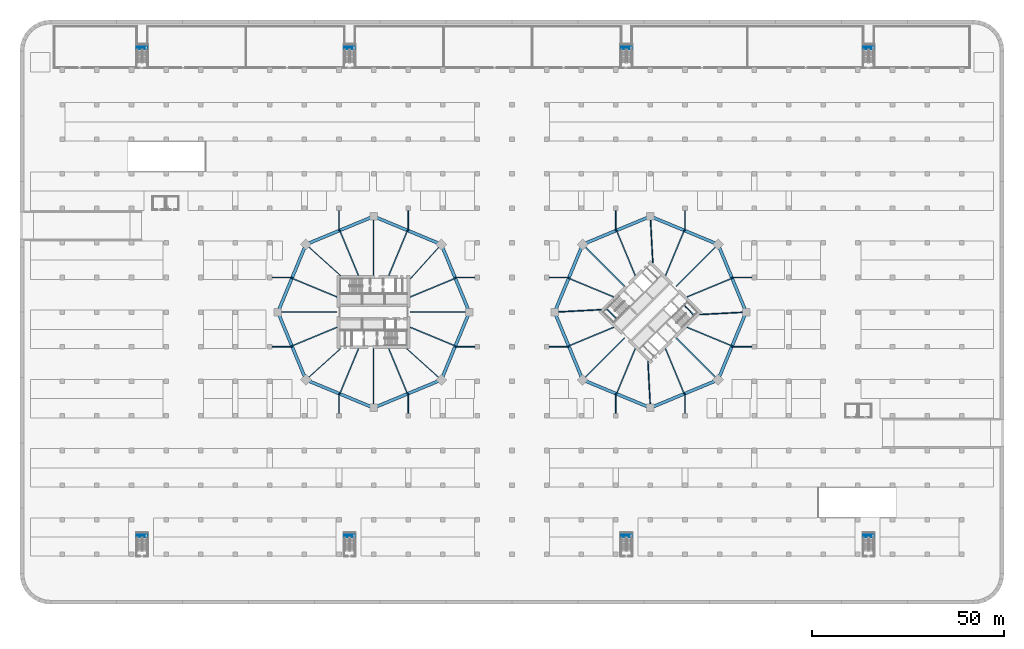
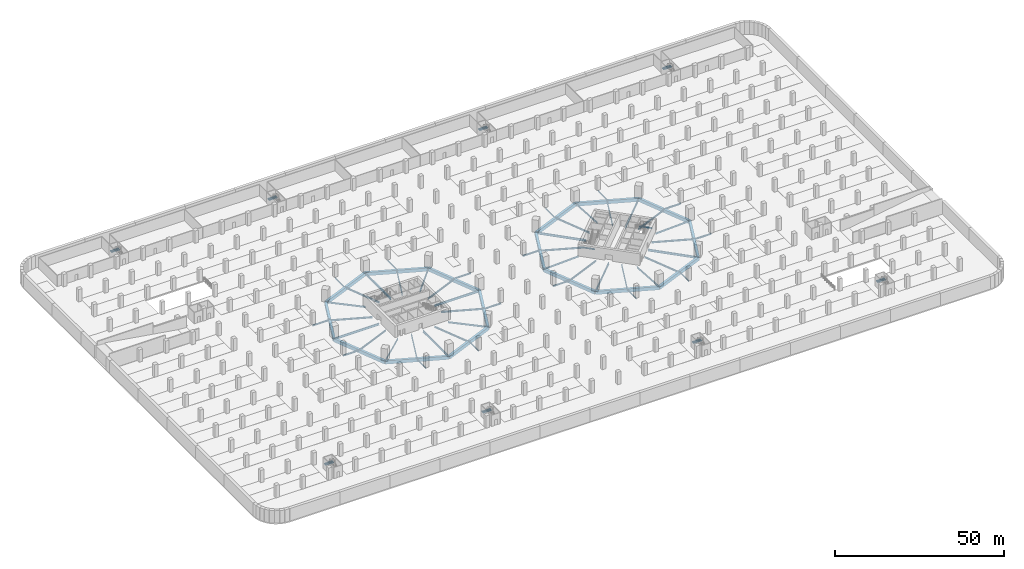
# One storey, part 2 of 34: 82 beams.
"""IFC4 building model written with IfcOpenShell, lengths in metres."""

from ifc_helpers import new_model, si_unit, direction, frame, origin, origin_2d, place, context, subcontext, project, spatial, rectangle, hollow_rectangle, i_section, extrude, material, material_profile, profile_set, type_object, element, save


model = new_model("IFC4")

# Units and contexts
model_context = context("Model", 3, precision=1e-05, world=origin(), true_north=direction((0.0, 1.0)))
body_context = subcontext(model_context, "Body", "Model", "MODEL_VIEW")
ifc_project = project(units=[si_unit("LENGTHUNIT", "METRE"), si_unit("AREAUNIT", "SQUARE_METRE"), si_unit("VOLUMEUNIT", "CUBIC_METRE"), si_unit("PLANEANGLEUNIT", "RADIAN"), si_unit("MASSUNIT", "GRAM", prefix="KILO")], contexts=[model_context])

# Site, building, storey
site_placement = place(None, origin())
site = spatial("IfcSite", under=ifc_project, at=site_placement, CompositionType="ELEMENT")
building_placement = place(site_placement, origin())
building = spatial("IfcBuilding", under=site, at=building_placement, Name="Ogive Gate Towers", CompositionType="ELEMENT")
storey_placement = place(building_placement, frame((0.0, 0.0, -4.5)))
storey = spatial("IfcBuildingStorey", under=building, at=storey_placement, Name="B1", CompositionType="ELEMENT", Elevation=-4.5)

# Beams
ifc_material_1 = material(Name="Steel SM460", Category="steel")
ifc_material_profile_1 = material_profile(ifc_material_1, hollow_rectangle(XDim=0.800048828125, YDim=1.199951171875, WallThickness=0.050048828125, at=origin_2d()), Name="BX 1200x800x50")
ifc_profile_set_1 = profile_set([ifc_material_profile_1], Name="Steel SM460")
beam_type_1 = type_object("IfcBeamType", Name="Edge girder BX 1200x800x50", PredefinedType="BEAM", material=ifc_profile_set_1)
for number, where, z_axis, x_axis, name in (
    (1, (-53.614013671875, -17.614013671875, -1.0), (0.923880736283, -0.382680526191, 0.0), (0.382680526191, 0.923880736283, 0.0), "T1/B1/SBM017"),
    (2, (-36.0, -24.909912109375, -1.0), (0.923880736283, 0.382680526191, 0.0), (-0.382680526191, 0.923880736283, 0.0), "T1/B1/SBM018"),
    (3, (-18.385986328125, -17.614013671875, -1.0), (0.382680526191, 0.923880736283, 0.0), (-0.923880736283, 0.382680526191, 0.0), "T1/B1/SBM019"),
    (4, (-11.090087890625, 0.0, -1.0), (-0.382680526191, 0.923880736283, 0.0), (-0.923880736283, -0.382680526191, 0.0), "T1/B1/SBM020"),
    (5, (-18.385986328125, 17.614013671875, -1.0), (-0.923880736283, 0.382680526191, 0.0), (-0.382680526191, -0.923880736283, 0.0), "T1/B1/SBM021"),
    (6, (-36.0, 24.909912109375, -1.0), (-0.923880736283, -0.382680526191, 0.0), (0.382680526191, -0.923880736283, 0.0), "T1/B1/SBM022"),
    (7, (-53.614013671875, 17.614013671875, -1.0), (-0.382680526191, -0.923880736283, 0.0), (0.923880736283, -0.382680526191, 0.0), "T1/B1/SBM023"),
    (8, (-60.909912109375, 0.0, -1.0), (0.382680526191, -0.923880736283, 0.0), (0.923880736283, 0.382680526191, 0.0), "T1/B1/SBM024"),
    (9, (18.385986328125, -17.614013671875, -1.0), (0.923880736283, -0.382680526191, 0.0), (0.382680526191, 0.923880736283, 0.0), "T2/B1/SBM017"),
    (10, (36.0, -24.909912109375, -1.0), (0.923880736283, 0.382680526191, 0.0), (-0.382680526191, 0.923880736283, 0.0), "T2/B1/SBM018"),
    (11, (53.614013671875, -17.614013671875, -1.0), (0.382680526191, 0.923880736283, 0.0), (-0.923880736283, 0.382680526191, 0.0), "T2/B1/SBM019"),
    (12, (60.909912109375, 0.0, -1.0), (-0.382680526191, 0.923880736283, 0.0), (-0.923880736283, -0.382680526191, 0.0), "T2/B1/SBM020"),
    (13, (53.614013671875, 17.614013671875, -1.0), (-0.923880736283, 0.382680526191, 0.0), (-0.382680526191, -0.923880736283, 0.0), "T2/B1/SBM021"),
    (14, (36.0, 24.909912109375, -1.0), (-0.923880736283, -0.382680526191, 0.0), (0.382680526191, -0.923880736283, 0.0), "T2/B1/SBM022"),
    (15, (18.385986328125, 17.614013671875, -1.0), (-0.382680526191, -0.923880736283, 0.0), (0.923880736283, -0.382680526191, 0.0), "T2/B1/SBM023"),
    (16, (11.090087890625, 0.0, -1.0), (0.382680526191, -0.923880736283, 0.0), (0.923880736283, 0.382680526191, 0.0), "T2/B1/SBM024"),
):
    element("IfcBeam", number, at=place(storey_placement, frame(where, z_axis=z_axis, x_axis=x_axis)), inside=storey, type_object=beam_type_1, Name=name, PredefinedType="BEAM", context=body_context, shape_type="SweptSolid", body=[
        extrude(hollow_rectangle(XDim=0.800048828125, YDim=1.199951171875, WallThickness=0.050048828125, at=origin_2d()), origin(), (0.0, 0.0, 1.0), 19.065185546875),
    ])
ifc_material_2 = material(Name="Steel SM355", Category="steel")
ifc_material_profile_2 = material_profile(ifc_material_2, i_section(OverallWidth=0.18994140625, OverallDepth=0.449951171875, WebThickness=0.009521484375, FlangeThickness=0.0146484375, FilletRadius=0.02099609375, at=origin_2d()), Name="IPE 450")
ifc_profile_set_2 = profile_set([ifc_material_profile_2], Name="Steel SM355")
beam_type_2 = type_object("IfcBeamType", Name="Floor beam IPE 450", PredefinedType="BEAM", material=ifc_profile_set_2)
for number, where, z_axis, x_axis, name in (
    (17, (-63.0, -9.0, -0.625), (1.0, 0.0, 0.0), (0.0, 1.0, 0.0), "BS/B1/SBM001"),
    (18, (-63.0, 9.0, -0.625), (1.0, 0.0, 0.0), (0.0, 1.0, 0.0), "BS/B1/SBM002"),
    (19, (-45.0, -27.0, -0.625), (0.0, 1.0, 0.0), (-1.0, 0.0, 0.0), "BS/B1/SBM003"),
    (20, (-45.0, 27.0, -0.625), (0.0, -1.0, 0.0), (1.0, 0.0, 0.0), "BS/B1/SBM004"),
    (21, (-27.0, -27.0, -0.625), (0.0, 1.0, 0.0), (-1.0, 0.0, 0.0), "BS/B1/SBM005"),
    (22, (-27.0, 27.0, -0.625), (0.0, -1.0, 0.0), (1.0, 0.0, 0.0), "BS/B1/SBM006"),
    (23, (-9.0, -9.0, -0.625), (-1.0, 0.0, 0.0), (0.0, -1.0, 0.0), "BS/B1/SBM007"),
    (24, (-9.0, 9.0, -0.625), (-1.0, 0.0, 0.0), (0.0, -1.0, 0.0), "BS/B1/SBM008"),
    (25, (9.0, -9.0, -0.625), (1.0, 0.0, 0.0), (0.0, 1.0, 0.0), "BS/B1/SBM009"),
    (26, (9.0, 9.0, -0.625), (1.0, 0.0, 0.0), (0.0, 1.0, 0.0), "BS/B1/SBM010"),
    (27, (27.0, -27.0, -0.625), (0.0, 1.0, 0.0), (-1.0, 0.0, 0.0), "BS/B1/SBM011"),
    (28, (27.0, 27.0, -0.625), (0.0, -1.0, 0.0), (1.0, 0.0, 0.0), "BS/B1/SBM012"),
    (29, (45.0, -27.0, -0.625), (0.0, 1.0, 0.0), (-1.0, 0.0, 0.0), "BS/B1/SBM013"),
    (30, (45.0, 27.0, -0.625), (0.0, -1.0, 0.0), (1.0, 0.0, 0.0), "BS/B1/SBM014"),
    (31, (63.0, -9.0, -0.625), (-1.0, 0.0, 0.0), (0.0, -1.0, 0.0), "BS/B1/SBM015"),
    (32, (63.0, 9.0, -0.625), (-1.0, 0.0, 0.0), (0.0, -1.0, 0.0), "BS/B1/SBM016"),
):
    element("IfcBeam", number, at=place(storey_placement, frame(where, z_axis=z_axis, x_axis=x_axis)), inside=storey, type_object=beam_type_2, Name=name, PredefinedType="BEAM", context=body_context, shape_type="SweptSolid", body=[
        extrude(i_section(OverallWidth=0.18994140625, OverallDepth=0.449951171875, WebThickness=0.009521484375, FlangeThickness=0.0146484375, FilletRadius=0.02099609375, at=origin_2d()), origin(), (0.0, 0.0, 1.0), 5.81787109375),
    ])
ifc_material_3 = material(Name="Concrete C40/50", Category="concrete")
ifc_material_profile_3 = material_profile(ifc_material_3, rectangle(XDim=0.25, YDim=0.300048828125, at=origin_2d()), Name="RC 250x300")
ifc_profile_set_3 = profile_set([ifc_material_profile_3], Name="Concrete C40/50")
beam_type_3 = type_object("IfcBeamType", Name="Landing bearer RC 250x300", PredefinedType="BEAM", material=ifc_profile_set_3)
for number, where, z_axis, x_axis, name in (
    (33, (24.5712890625, 0.875, 1.89990234375), (0.707138693938, -0.707074866995, 0.0), (0.707074866995, 0.707138693938, 0.0), "T2 B1 stair 1 landing bearer 1"),
    (34, (47.4287109375, -0.875, 1.89990234375), (-0.707138693938, 0.707074866995, 0.0), (-0.707074866995, -0.707138693938, 0.0), "T2 B1 stair 2 landing bearer 1"),
):
    element("IfcBeam", number, at=place(storey_placement, frame(where, z_axis=z_axis, x_axis=x_axis)), inside=storey, type_object=beam_type_3, Name=name, PredefinedType="BEAM", context=body_context, shape_type="SweptSolid", body=[
        extrude(rectangle(XDim=0.25, YDim=0.300048828125, at=origin_2d()), origin(), (0.0, 0.0, 1.0), 3.824951171875),
    ])
ifc_material_profile_4 = material_profile(ifc_material_3, rectangle(XDim=0.25, YDim=0.300048828125, at=origin_2d()), Name="RC 250x300")
ifc_profile_set_4 = profile_set([ifc_material_profile_4], Name="Concrete C40/50")
beam_type_4 = type_object("IfcBeamType", Name="Landing bearer RC 250x300 (stair)", PredefinedType="BEAM", material=ifc_profile_set_4)
for number, where, z_axis, x_axis, name in (
    (35, (-94.85009765625, 68.56005859375, 1.89990234375), (-1.0, 0.0, 0.0), (0.0, -1.0, 0.0), "CS1 B1 landing 1 bearer 1"),
    (36, (-94.85009765625, 69.159912109375, 1.89990234375), (-1.0, 0.0, 0.0), (0.0, -1.0, 0.0), "CS1 B1 landing 1 bearer 2"),
    (37, (-40.85009765625, 68.56005859375, 1.89990234375), (-1.0, 0.0, 0.0), (0.0, -1.0, 0.0), "CS2 B1 landing 1 bearer 1"),
    (38, (-40.85009765625, 69.159912109375, 1.89990234375), (-1.0, 0.0, 0.0), (0.0, -1.0, 0.0), "CS2 B1 landing 1 bearer 2"),
    (39, (31.14990234375, 68.56005859375, 1.89990234375), (-1.0, 0.0, 0.0), (0.0, -1.0, 0.0), "CS3 B1 landing 1 bearer 1"),
    (40, (31.14990234375, 69.159912109375, 1.89990234375), (-1.0, 0.0, 0.0), (0.0, -1.0, 0.0), "CS3 B1 landing 1 bearer 2"),
    (41, (94.14990234375, 68.56005859375, 1.89990234375), (-1.0, 0.0, 0.0), (0.0, -1.0, 0.0), "CS4 B1 landing 1 bearer 1"),
    (42, (94.14990234375, 69.159912109375, 1.89990234375), (-1.0, 0.0, 0.0), (0.0, -1.0, 0.0), "CS4 B1 landing 1 bearer 2"),
    (43, (-94.85009765625, -58.43994140625, 1.89990234375), (-1.0, 0.0, 0.0), (0.0, -1.0, 0.0), "CS5 B1 landing 1 bearer 1"),
    (44, (-94.85009765625, -57.840087890625, 1.89990234375), (-1.0, 0.0, 0.0), (0.0, -1.0, 0.0), "CS5 B1 landing 1 bearer 2"),
    (45, (-40.85009765625, -58.43994140625, 1.89990234375), (-1.0, 0.0, 0.0), (0.0, -1.0, 0.0), "CS6 B1 landing 1 bearer 1"),
    (46, (-40.85009765625, -57.840087890625, 1.89990234375), (-1.0, 0.0, 0.0), (0.0, -1.0, 0.0), "CS6 B1 landing 1 bearer 2"),
    (47, (31.14990234375, -58.43994140625, 1.89990234375), (-1.0, 0.0, 0.0), (0.0, -1.0, 0.0), "CS7 B1 landing 1 bearer 1"),
    (48, (31.14990234375, -57.840087890625, 1.89990234375), (-1.0, 0.0, 0.0), (0.0, -1.0, 0.0), "CS7 B1 landing 1 bearer 2"),
    (49, (94.14990234375, -58.43994140625, 1.89990234375), (-1.0, 0.0, 0.0), (0.0, -1.0, 0.0), "CS8 B1 landing 1 bearer 1"),
    (50, (94.14990234375, -57.840087890625, 1.89990234375), (-1.0, 0.0, 0.0), (0.0, -1.0, 0.0), "CS8 B1 landing 1 bearer 2"),
):
    element("IfcBeam", number, at=place(storey_placement, frame(where, z_axis=z_axis, x_axis=x_axis)), inside=storey, type_object=beam_type_4, Name=name, PredefinedType="BEAM", context=body_context, shape_type="SweptSolid", body=[
        extrude(rectangle(XDim=0.25, YDim=0.300048828125, at=origin_2d()), origin(), (0.0, 0.0, 1.0), 2.75),
    ])
ifc_material_profile_5 = material_profile(ifc_material_2, i_section(OverallWidth=0.300048828125, OverallDepth=0.590087890625, WebThickness=0.012939453125, FlangeThickness=0.02490234375, FilletRadius=0.027099609375, at=origin_2d()), Name="HE 600 A")
ifc_profile_set_5 = profile_set([ifc_material_profile_5], Name="Steel SM355")
beam_type_5 = type_object("IfcBeamType", Name="Radial floor beam HE 600 A", PredefinedType="BEAM", material=ifc_profile_set_5)
for number, where, z_axis, x_axis, name in (
    (51, (-39.93505859375, -9.5, -0.695068359375), (-0.382690523214, -0.923876595354, 0.0), (0.923876595354, -0.382690523214, 0.0), "T1/B1/SBM002"),
    (52, (-32.06494140625, -9.5, -0.695068359375), (0.382690523214, -0.923876595354, 0.0), (0.923876595354, 0.382690523214, 0.0), "T1/B1/SBM004"),
    (53, (-26.5, -3.93505859375, -0.695068359375), (0.923876595354, -0.382690523214, 0.0), (0.382690523214, 0.923876595354, 0.0), "T1/B1/SBM006"),
    (54, (-26.5, 3.93505859375, -0.695068359375), (0.923876595354, 0.382690523214, 0.0), (-0.382690523214, 0.923876595354, 0.0), "T1/B1/SBM008"),
    (55, (-32.06494140625, 9.5, -0.695068359375), (0.382690523214, 0.923876595354, 0.0), (-0.923876595354, 0.382690523214, 0.0), "T1/B1/SBM010"),
    (56, (-39.93505859375, 9.5, -0.695068359375), (-0.382690523214, 0.923876595354, 0.0), (-0.923876595354, -0.382690523214, 0.0), "T1/B1/SBM012"),
    (57, (-45.5, 3.93505859375, -0.695068359375), (-0.923876595354, 0.382690523214, 0.0), (-0.382690523214, -0.923876595354, 0.0), "T1/B1/SBM014"),
    (58, (-45.5, -3.93505859375, -0.695068359375), (-0.923876595354, -0.382690523214, 0.0), (0.382690523214, -0.923876595354, 0.0), "T1/B1/SBM016"),
    (59, (32.06494140625, -9.5, -0.695068359375), (-0.382690523214, -0.923876595354, 0.0), (0.923876595354, -0.382690523214, 0.0), "T2/B1/SBM002"),
    (60, (39.93505859375, -9.5, -0.695068359375), (0.382690523214, -0.923876595354, 0.0), (0.923876595354, 0.382690523214, 0.0), "T2/B1/SBM004"),
    (61, (45.5, -3.93505859375, -0.695068359375), (0.923876595354, -0.382690523214, 0.0), (0.382690523214, 0.923876595354, 0.0), "T2/B1/SBM006"),
    (62, (45.5, 3.93505859375, -0.695068359375), (0.923876595354, 0.382690523214, 0.0), (-0.382690523214, 0.923876595354, 0.0), "T2/B1/SBM008"),
    (63, (39.93505859375, 9.5, -0.695068359375), (0.382690523214, 0.923876595354, 0.0), (-0.923876595354, 0.382690523214, 0.0), "T2/B1/SBM010"),
    (64, (32.06494140625, 9.5, -0.695068359375), (-0.382690523214, 0.923876595354, 0.0), (-0.923876595354, -0.382690523214, 0.0), "T2/B1/SBM012"),
    (65, (26.5, 3.93505859375, -0.695068359375), (-0.923876595354, 0.382690523214, 0.0), (-0.382690523214, -0.923876595354, 0.0), "T2/B1/SBM014"),
    (66, (26.5, -3.93505859375, -0.695068359375), (-0.923876595354, -0.382690523214, 0.0), (0.382690523214, -0.923876595354, 0.0), "T2/B1/SBM016"),
):
    element("IfcBeam", number, at=place(storey_placement, frame(where, z_axis=z_axis, x_axis=x_axis)), inside=storey, type_object=beam_type_5, Name=name, PredefinedType="BEAM", context=body_context, shape_type="SweptSolid", body=[
        extrude(i_section(OverallWidth=0.300048828125, OverallDepth=0.590087890625, WebThickness=0.012939453125, FlangeThickness=0.02490234375, FilletRadius=0.027099609375, at=origin_2d()), origin(), (0.0, 0.0, 1.0), 12.731201171875),
    ])
ifc_material_profile_6 = material_profile(ifc_material_2, i_section(OverallWidth=0.300048828125, OverallDepth=0.7900390625, WebThickness=0.014892578125, FlangeThickness=0.028076171875, FilletRadius=0.030029296875, at=origin_2d()), Name="HE 800 A")
ifc_profile_set_6 = profile_set([ifc_material_profile_6], Name="Steel SM355")
beam_type_6 = type_object("IfcBeamType", Name="Radial floor beam HE 800 A", PredefinedType="BEAM", material=ifc_profile_set_6)
for number, where, z_axis, x_axis, name in (
    (67, (-36.0, -9.5, -0.794921875), (0.0, -1.0, 0.0), (1.0, 0.0, 0.0), "T1/B1/SBM003"),
    (68, (-26.5, 0.0, -0.794921875), (1.0, 0.0, 0.0), (0.0, 1.0, 0.0), "T1/B1/SBM007"),
    (69, (-36.0, 9.5, -0.794921875), (0.0, 1.0, 0.0), (-1.0, 0.0, 0.0), "T1/B1/SBM011"),
    (70, (-45.5, 0.0, -0.794921875), (-1.0, 0.0, 0.0), (0.0, -1.0, 0.0), "T1/B1/SBM015"),
    (71, (29.282470703125, -6.717529296875, -0.794921875), (-0.707106781187, -0.707106781187, 0.0), (0.707106781187, -0.707106781187, 0.0), "T2/B1/SBM001"),
    (72, (42.717529296875, -6.717529296875, -0.794921875), (0.707106781187, -0.707106781187, 0.0), (0.707106781187, 0.707106781187, 0.0), "T2/B1/SBM005"),
    (73, (42.717529296875, 6.717529296875, -0.794921875), (0.707106781187, 0.707106781187, 0.0), (-0.707106781187, 0.707106781187, 0.0), "T2/B1/SBM009"),
    (74, (29.282470703125, 6.717529296875, -0.794921875), (-0.707106781187, 0.707106781187, 0.0), (-0.707106781187, -0.707106781187, 0.0), "T2/B1/SBM013"),
):
    element("IfcBeam", number, at=place(storey_placement, frame(where, z_axis=z_axis, x_axis=x_axis)), inside=storey, type_object=beam_type_6, Name=name, PredefinedType="BEAM", context=body_context, shape_type="SweptSolid", body=[
        extrude(i_section(OverallWidth=0.300048828125, OverallDepth=0.7900390625, WebThickness=0.014892578125, FlangeThickness=0.028076171875, FilletRadius=0.030029296875, at=origin_2d()), origin(), (0.0, 0.0, 1.0), 15.409912109375),
    ])
ifc_material_profile_7 = material_profile(ifc_material_2, i_section(OverallWidth=0.219970703125, OverallDepth=0.60009765625, WebThickness=0.011962890625, FlangeThickness=0.01904296875, FilletRadius=0.02392578125, at=origin_2d()), Name="IPE 600")
ifc_profile_set_7 = profile_set([ifc_material_profile_7], Name="Steel SM355")
beam_type_7 = type_object("IfcBeamType", Name="Radial floor beam IPE 600", PredefinedType="BEAM", material=ifc_profile_set_7)
for number, where, z_axis, x_axis, name in (
    (75, (-44.60009765625, -9.5, -0.699951171875), (-0.743233084761, -0.669032571491, 0.0), (0.669032571491, -0.743233084761, 0.0), "T1/B1/SBM001"),
    (76, (-27.39990234375, -9.5, -0.699951171875), (0.743233084761, -0.669032571491, 0.0), (0.669032571491, 0.743233084761, 0.0), "T1/B1/SBM005"),
    (77, (-26.5, 8.60009765625, -0.699951171875), (0.669032571491, 0.743233084761, 0.0), (-0.743233084761, 0.669032571491, 0.0), "T1/B1/SBM009"),
    (78, (-44.60009765625, 9.5, -0.699951171875), (-0.743233084761, 0.669032571491, 0.0), (-0.669032571491, -0.743233084761, 0.0), "T1/B1/SBM013"),
    (79, (35.363525390625, -12.798583984375, -0.699951171875), (0.052479590907, -0.998621996823, 0.0), (0.998621996823, 0.052479590907, 0.0), "T2/B1/SBM003"),
    (80, (48.798583984375, -0.636474609375, -0.699951171875), (0.998621996823, 0.052479590907, 0.0), (-0.052479590907, 0.998621996823, 0.0), "T2/B1/SBM007"),
    (81, (36.636474609375, 12.798583984375, -0.699951171875), (-0.052479590907, 0.998621996823, 0.0), (-0.998621996823, -0.052479590907, 0.0), "T2/B1/SBM011"),
    (82, (23.201416015625, 0.636474609375, -0.699951171875), (-0.998621996823, -0.052479590907, 0.0), (0.052479590907, -0.998621996823, 0.0), "T2/B1/SBM015"),
):
    element("IfcBeam", number, at=place(storey_placement, frame(where, z_axis=z_axis, x_axis=x_axis)), inside=storey, type_object=beam_type_7, Name=name, PredefinedType="BEAM", context=body_context, shape_type="SweptSolid", body=[
        extrude(i_section(OverallWidth=0.219970703125, OverallDepth=0.60009765625, WebThickness=0.011962890625, FlangeThickness=0.01904296875, FilletRadius=0.02392578125, at=origin_2d()), origin(), (0.0, 0.0, 1.0), 12.1279296875),
    ])

save(model, "model.ifc")
